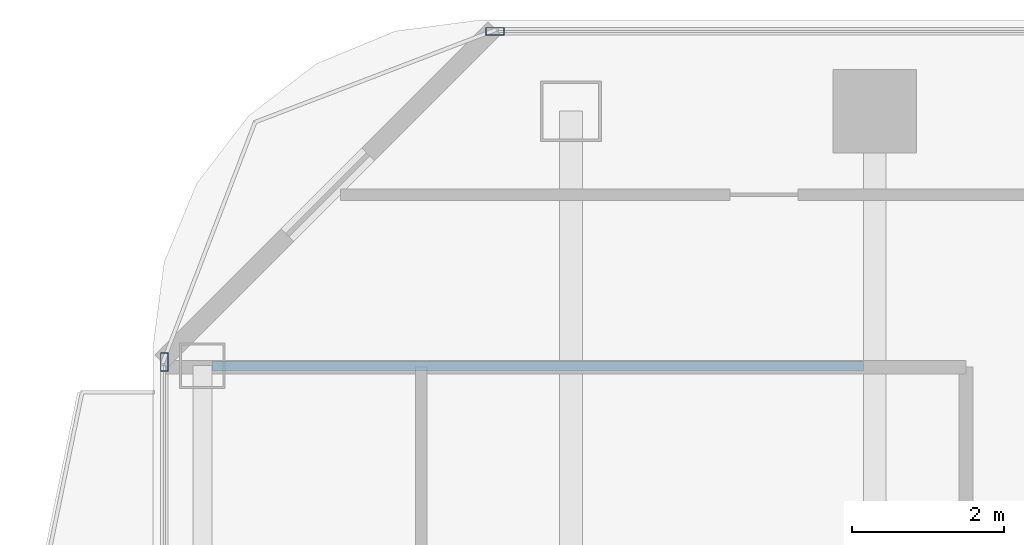
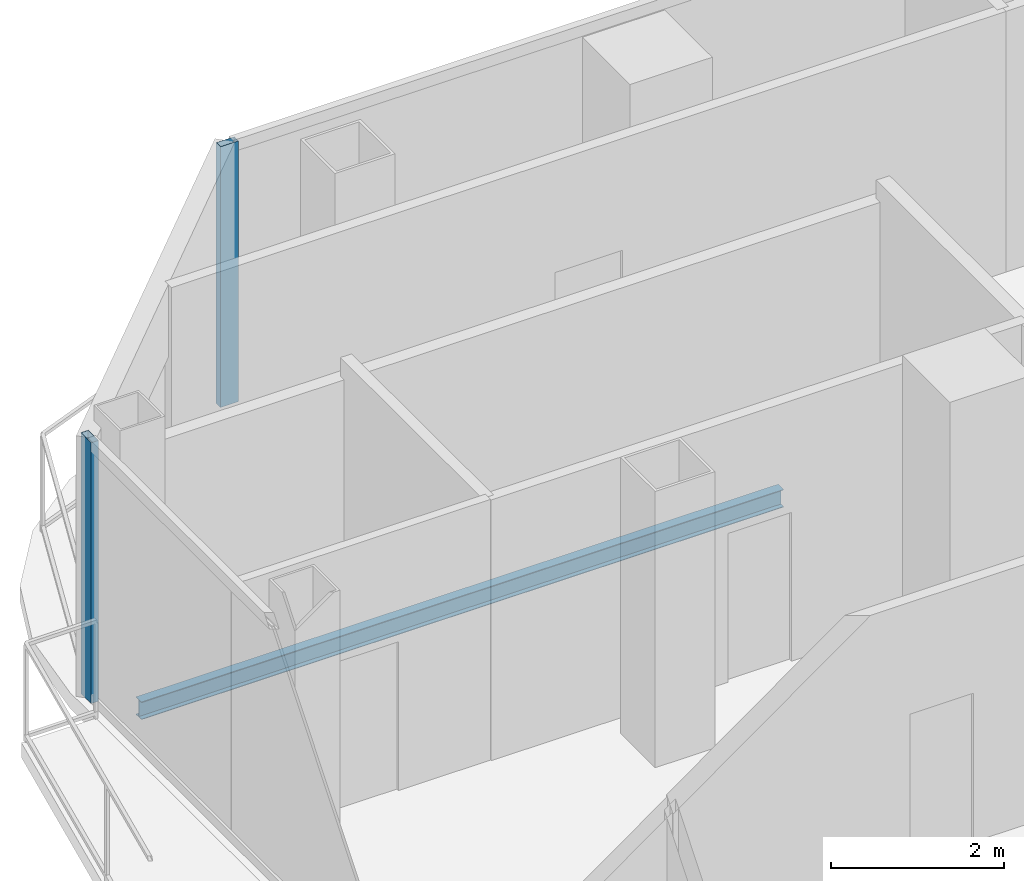
# One storey, part 11 of 23: 2 members, 1 beam, 2 elements without a shape of their own.
"""IFC4 building model written with IfcOpenShell, lengths in metres."""

from ifc_helpers import new_model, si_unit, direction, frame, origin, origin_2d, place, context, subcontext, project, spatial, hollow_rectangle, i_section, extrude, material, layer, layer_set, material_profile, profile_set, type_object, element, aggregate, save


model = new_model("IFC4")

# Units and contexts
model_context = context("Model", 3, precision=1e-05, world=origin(), true_north=direction((0.0, 1.0)))
body_context = subcontext(model_context, "Body", "Model", "MODEL_VIEW")
ifc_project = project(units=[si_unit("LENGTHUNIT", "METRE"), si_unit("AREAUNIT", "SQUARE_METRE"), si_unit("VOLUMEUNIT", "CUBIC_METRE"), si_unit("PLANEANGLEUNIT", "RADIAN"), si_unit("MASSUNIT", "GRAM", prefix="KILO")], contexts=[model_context])

# Site, building, storey
site_placement = place(None, origin())
site = spatial("IfcSite", under=ifc_project, at=site_placement, CompositionType="ELEMENT")
building_placement = place(site_placement, origin())
building = spatial("IfcBuilding", under=site, at=building_placement, Name="Khorvyn Point Tower", CompositionType="ELEMENT")
storey_placement = place(building_placement, frame((0.0, 0.0, 199.199951171875)))
storey = spatial("IfcBuildingStorey", under=building, at=storey_placement, Name="L49", CompositionType="ELEMENT", Elevation=199.199951171875)

# Curtain wall, member
ifc_material_1 = material(Name="Anodised aluminium 6063-T6 and laminated Low-E glass", Category="aluminium")
ifc_layer = layer(ifc_material_1, 0.18994140625)
ifc_layer_set = layer_set([ifc_layer], Name="Stick-Built Acoustic Curtain Wall CW-SYS-03")
curtain_wall_type = type_object("IfcCurtainWallType", Name="Stick-Built Acoustic Curtain Wall CW-SYS-03", PredefinedType="NOTDEFINED", material=ifc_layer_set)
curtain_wall_1_placement = place(storey_placement, origin())
curtain_wall_1 = element("IfcCurtainWall", 1, at=curtain_wall_1_placement, inside=storey, type_object=curtain_wall_type, Name="Curtain Wall", PredefinedType="NOTDEFINED")
ifc_material_2 = material(Name="Anodised aluminium 6063-T6", Category="aluminium")
ifc_material_profile_1 = material_profile(ifc_material_2, hollow_rectangle(XDim=0.10009765625, YDim=0.239990234375, WallThickness=0.0048828125, at=origin_2d()))
ifc_profile_set_1 = profile_set([ifc_material_profile_1], Name="Anodised aluminium 6063-T6 ALU-MUL-100x240")
member_type = type_object("IfcMemberType", Name="Anodised Aluminium 6063-T6 Mullion ALU-MUL-100x240", PredefinedType="MULLION", material=ifc_profile_set_1)
member_1_placement = place(storey_placement, frame((-19.800048828125, 15.85009765625, 0.0), z_axis=(0.0, 0.0, 1.0), x_axis=(0.0, 1.0, 0.0)))
member_1 = element("IfcMember", 2, at=member_1_placement, type_object=member_type, Name="Transom", PredefinedType="MULLION", context=body_context, shape_type="SweptSolid", body=[
    extrude(hollow_rectangle(XDim=0.10009765625, YDim=0.239990234375, WallThickness=0.0048828125, at=origin_2d()), origin(), (0.0, 0.0, 1.0), 3.679931640625),
])
aggregate(curtain_wall_1, [member_1])

curtain_wall_2_placement = place(storey_placement, origin())
curtain_wall_2 = element("IfcCurtainWall", 3, at=curtain_wall_2_placement, inside=storey, type_object=curtain_wall_type, Name="Curtain Wall", PredefinedType="NOTDEFINED")
member_2_placement = place(storey_placement, frame((-24.14990234375, 11.5, 0.0), z_axis=(0.0, 0.0, 1.0), x_axis=(-1.0, 0.0, 0.0)))
member_2 = element("IfcMember", 4, at=member_2_placement, type_object=member_type, Name="Transom", PredefinedType="MULLION", context=body_context, shape_type="SweptSolid", body=[
    extrude(hollow_rectangle(XDim=0.10009765625, YDim=0.239990234375, WallThickness=0.0048828125, at=origin_2d()), origin(), (0.0, 0.0, 1.0), 3.679931640625),
])
aggregate(curtain_wall_2, [member_2])

# Beam
ifc_material_3 = material(Name="Steel S355", Category="steel")
ifc_material_profile_2 = material_profile(ifc_material_3, i_section(OverallWidth=0.125, OverallDepth=0.25, WebThickness=0.006103515625, FlangeThickness=0.009033203125, at=origin_2d()))
ifc_profile_set_2 = profile_set([ifc_material_profile_2], Name="Steel S355 H250x125x6x9")
beam_type = type_object("IfcBeamType", Name="Steel S355 Joist H250x125x6x9", PredefinedType="JOIST", material=ifc_profile_set_2)
beam_placement = place(storey_placement, frame((-23.52490234375, 11.449951171875, -0.344970703125), z_axis=(1.0, 0.0, 0.0), x_axis=(0.0, 1.0, 0.0)))
element("IfcBeam", 5, at=beam_placement, inside=storey, type_object=beam_type, Name="Beam", PredefinedType="JOIST", context=body_context, shape_type="SweptSolid", body=[
    extrude(i_section(OverallWidth=0.125, OverallDepth=0.25, WebThickness=0.006103515625, FlangeThickness=0.009033203125, at=origin_2d()), origin(), (0.0, 0.0, 1.0), 8.574951171875),
])

save(model, "model.ifc")
